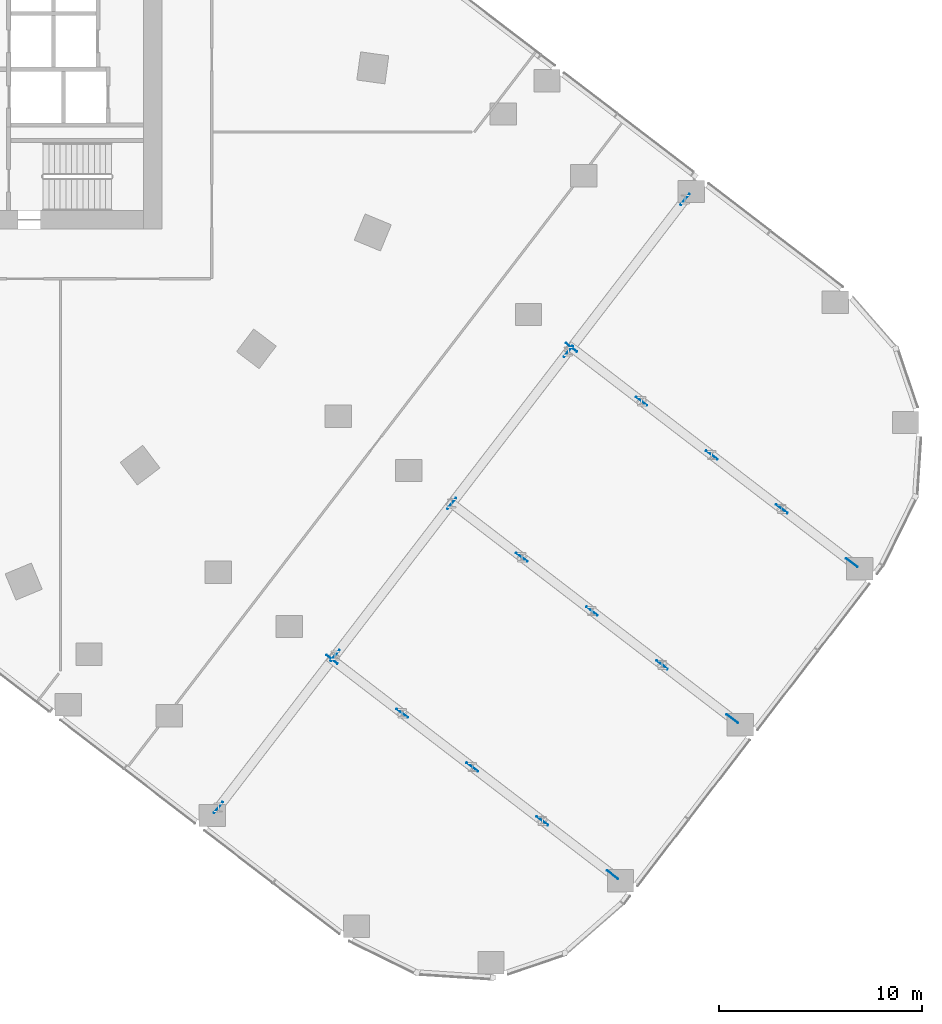
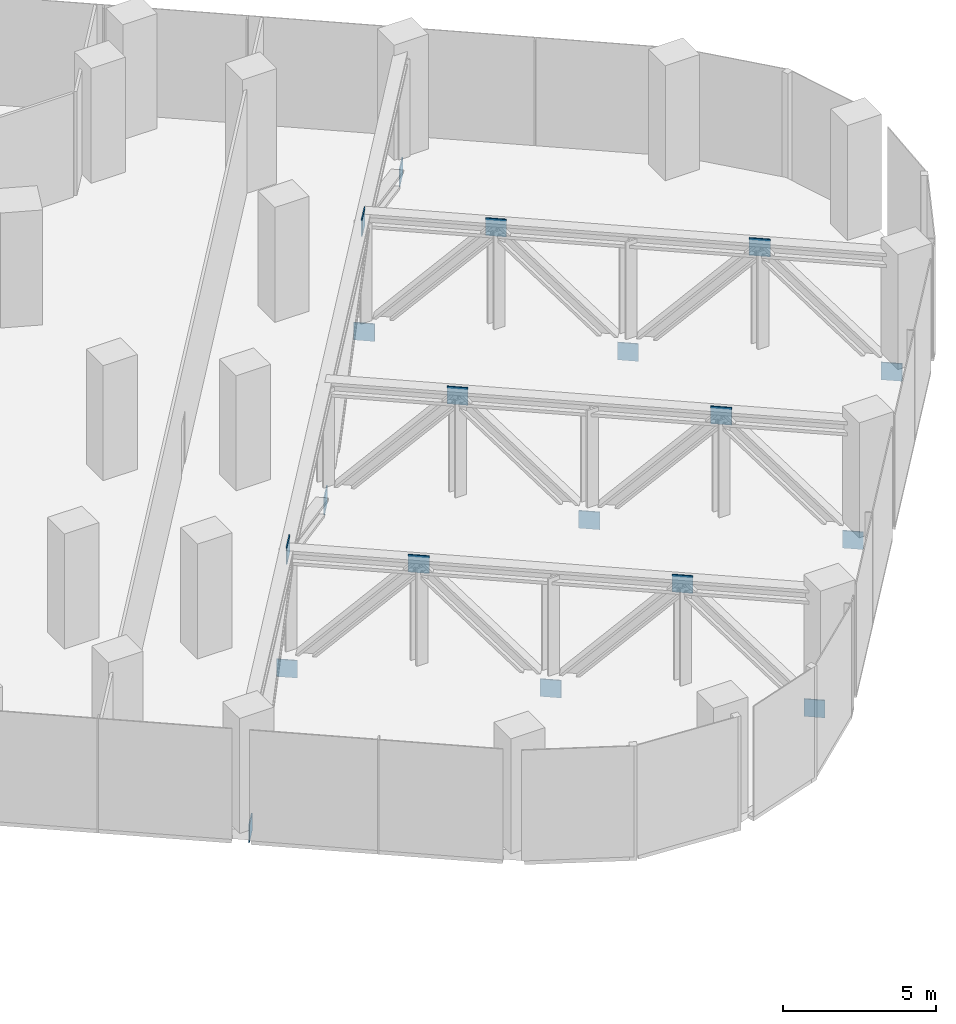
# One storey, part 28 of 30: 1 discrete accessory.
"""IFC4 building model written with IfcOpenShell, lengths in metres."""

from ifc_helpers import new_model, si_unit, direction, frame, origin, origin_2d, place, context, subcontext, project, spatial, rectangle, extrude, material, layer, layer_set, type_object, element, save


model = new_model("IFC4")

# Units and contexts
model_context = context("Model", 3, precision=1e-05, world=origin(), true_north=direction((0.0, 1.0)))
body_context = subcontext(model_context, "Body", "Model", "MODEL_VIEW")
ifc_project = project(units=[si_unit("LENGTHUNIT", "METRE"), si_unit("AREAUNIT", "SQUARE_METRE"), si_unit("VOLUMEUNIT", "CUBIC_METRE"), si_unit("PLANEANGLEUNIT", "RADIAN"), si_unit("MASSUNIT", "GRAM", prefix="KILO")], contexts=[model_context])

# Site, building, storey
site_placement = place(None, origin())
site = spatial("IfcSite", under=ifc_project, at=site_placement, CompositionType="ELEMENT")
building_placement = place(site_placement, origin())
building = spatial("IfcBuilding", under=site, at=building_placement, Name="Orlundy Tower", CompositionType="ELEMENT")
storey_placement = place(building_placement, frame((0.0, 0.0, 20.5)))
storey = spatial("IfcBuildingStorey", under=building, at=storey_placement, Name="L03", CompositionType="ELEMENT", Elevation=20.5)

# Discrete accessory
ifc_material = material(Name="Steel ASTM A572 Gr 50", Category="steel")
ifc_layer = layer(ifc_material, 0.0400390625)
ifc_layer_set = layer_set([ifc_layer], Name="CONNECTION PLATES")
discrete_accessory_type = type_object("IfcDiscreteAccessoryType", Name="CONNECTION PLATES", PredefinedType="ANCHORPLATE", material=ifc_layer_set)
discrete_accessory_placement = place(storey_placement, frame((0.0, 0.0, -20.5)))
element("IfcDiscreteAccessory", 1, at=discrete_accessory_placement, inside=storey, type_object=discrete_accessory_type, Name="Connection plates PODIUM-TRUSS", PredefinedType="ANCHORPLATE", context=body_context, shape_type="SweptSolid", body=[
    extrude(rectangle(XDim=0.699951171875, YDim=0.0400390625, at=origin_2d()), frame((21.785400390625, -40.54638671875, 19.46533203125), z_axis=(0.0, 0.0, 1.0), x_axis=(0.608761429009, 0.793353340291, 0.0)), (0.0, 0.0, 1.0), 0.699951171875),
    extrude(rectangle(XDim=0.699951171875, YDim=0.0400390625, at=origin_2d()), frame((27.539794921875, -33.047119140625, 24.04541015625), z_axis=(0.0, 0.0, 1.0), x_axis=(0.608761429009, 0.793353340291, 0.0)), (0.0, 0.0, 1.0), 0.699951171875),
    extrude(rectangle(XDim=0.699951171875, YDim=0.0400390625, at=origin_2d()), frame((33.2939453125, -25.548095703125, 19.46533203125), z_axis=(0.0, 0.0, 1.0), x_axis=(0.608761429009, 0.793353340291, 0.0)), (0.0, 0.0, 1.0), 0.699951171875),
    extrude(rectangle(XDim=0.699951171875, YDim=0.0400390625, at=origin_2d()), frame((39.04833984375, -18.048828125, 24.04541015625), z_axis=(0.0, 0.0, 1.0), x_axis=(0.608761429009, 0.793353340291, 0.0)), (0.0, 0.0, 1.0), 0.699951171875),
    extrude(rectangle(XDim=0.699951171875, YDim=0.0400390625, at=origin_2d()), frame((44.802734375, -10.5498046875, 19.46533203125), z_axis=(0.0, 0.0, 1.0), x_axis=(0.608761429009, 0.793353340291, 0.0)), (0.0, 0.0, 1.0), 0.699951171875),
    extrude(rectangle(XDim=0.699951171875, YDim=0.0400390625, at=origin_2d()), frame((27.388916015625, -33.242919921875, 19.46533203125), z_axis=(0.0, 0.0, 1.0), x_axis=(0.793363965062, -0.608747582288, 0.0)), (0.0, 0.0, 1.0), 0.699951171875),
    extrude(rectangle(XDim=0.699951171875, YDim=0.0400390625, at=origin_2d()), frame((30.847900390625, -35.89697265625, 24.04541015625), z_axis=(0.0, 0.0, 1.0), x_axis=(0.793363965062, -0.608747582288, 0.0)), (0.0, 0.0, 1.0), 0.699951171875),
    extrude(rectangle(XDim=0.699951171875, YDim=0.0400390625, at=origin_2d()), frame((34.306640625, -38.55078125, 19.46533203125), z_axis=(0.0, 0.0, 1.0), x_axis=(0.793363965062, -0.608747582288, 0.0)), (0.0, 0.0, 1.0), 0.699951171875),
    extrude(rectangle(XDim=0.699951171875, YDim=0.0400390625, at=origin_2d()), frame((37.765380859375, -41.204833984375, 24.04541015625), z_axis=(0.0, 0.0, 1.0), x_axis=(0.793363965062, -0.608747582288, 0.0)), (0.0, 0.0, 1.0), 0.699951171875),
    extrude(rectangle(XDim=0.699951171875, YDim=0.0400390625, at=origin_2d()), frame((41.224365234375, -43.858642578125, 19.46533203125), z_axis=(0.0, 0.0, 1.0), x_axis=(0.793363965062, -0.608747582288, 0.0)), (0.0, 0.0, 1.0), 0.699951171875),
    extrude(rectangle(XDim=0.699951171875, YDim=0.0400390625, at=origin_2d()), frame((36.752685546875, -28.201904296875, 24.04541015625), z_axis=(0.0, 0.0, 1.0), x_axis=(0.793363965062, -0.608747582288, 0.0)), (0.0, 0.0, 1.0), 0.699951171875),
    extrude(rectangle(XDim=0.699951171875, YDim=0.0400390625, at=origin_2d()), frame((40.211669921875, -30.855712890625, 19.46533203125), z_axis=(0.0, 0.0, 1.0), x_axis=(0.793363965062, -0.608747582288, 0.0)), (0.0, 0.0, 1.0), 0.699951171875),
    extrude(rectangle(XDim=0.699951171875, YDim=0.0400390625, at=origin_2d()), frame((43.67041015625, -33.509765625, 24.04541015625), z_axis=(0.0, 0.0, 1.0), x_axis=(0.793363965062, -0.608747582288, 0.0)), (0.0, 0.0, 1.0), 0.699951171875),
    extrude(rectangle(XDim=0.699951171875, YDim=0.0400390625, at=origin_2d()), frame((47.12939453125, -36.163818359375, 19.46533203125), z_axis=(0.0, 0.0, 1.0), x_axis=(0.793363965062, -0.608747582288, 0.0)), (0.0, 0.0, 1.0), 0.699951171875),
    extrude(rectangle(XDim=0.699951171875, YDim=0.0400390625, at=origin_2d()), frame((39.198974609375, -17.85205078125, 19.46533203125), z_axis=(0.0, 0.0, 1.0), x_axis=(0.793363965062, -0.608747582288, 0.0)), (0.0, 0.0, 1.0), 0.699951171875),
    extrude(rectangle(XDim=0.699951171875, YDim=0.0400390625, at=origin_2d()), frame((42.65771484375, -20.505859375, 24.04541015625), z_axis=(0.0, 0.0, 1.0), x_axis=(0.793363965062, -0.608747582288, 0.0)), (0.0, 0.0, 1.0), 0.699951171875),
    extrude(rectangle(XDim=0.699951171875, YDim=0.0400390625, at=origin_2d()), frame((46.11669921875, -23.159912109375, 19.46533203125), z_axis=(0.0, 0.0, 1.0), x_axis=(0.793363965062, -0.608747582288, 0.0)), (0.0, 0.0, 1.0), 0.699951171875),
    extrude(rectangle(XDim=0.699951171875, YDim=0.0400390625, at=origin_2d()), frame((49.575439453125, -25.813720703125, 24.04541015625), z_axis=(0.0, 0.0, 1.0), x_axis=(0.793363965062, -0.608747582288, 0.0)), (0.0, 0.0, 1.0), 0.699951171875),
    extrude(rectangle(XDim=0.699951171875, YDim=0.0400390625, at=origin_2d()), frame((53.0341796875, -28.4677734375, 19.46533203125), z_axis=(0.0, 0.0, 1.0), x_axis=(0.793363965062, -0.608747582288, 0.0)), (0.0, 0.0, 1.0), 0.699951171875),
])

save(model, "model.ifc")
